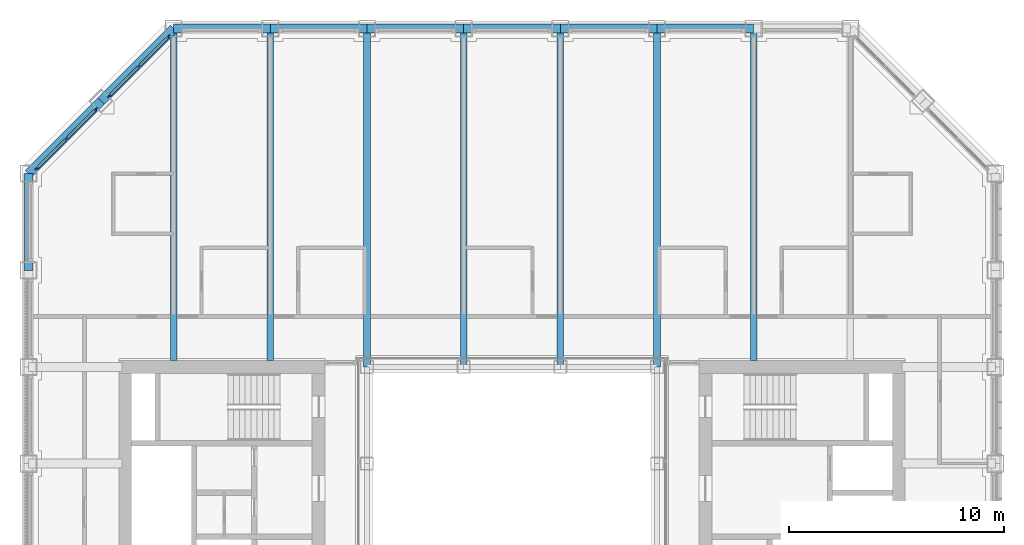
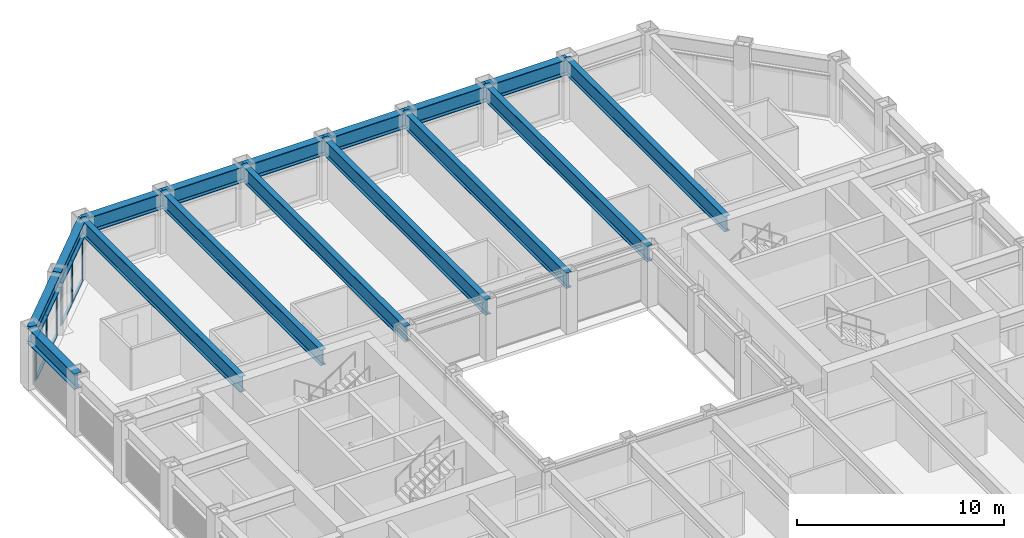
# One storey, part 7 of 17: 16 beams, 14 members, 2 elements without a shape of their own.
"""IFC4 building model written with IfcOpenShell, lengths in metres."""

from ifc_helpers import new_model, si_unit, direction, frame, origin, origin_2d, place, context, subcontext, project, spatial, rectangle, i_section, extrude, material, material_profile, profile_set, type_object, element, aggregate, save


model = new_model("IFC4")

# Units and contexts
model_context = context("Model", 3, precision=1e-05, world=origin(), true_north=direction((0.0, 1.0)))
body_context = subcontext(model_context, "Body", "Model", "MODEL_VIEW")
ifc_project = project(units=[si_unit("LENGTHUNIT", "METRE"), si_unit("AREAUNIT", "SQUARE_METRE"), si_unit("VOLUMEUNIT", "CUBIC_METRE"), si_unit("PLANEANGLEUNIT", "RADIAN"), si_unit("MASSUNIT", "GRAM", prefix="KILO")], contexts=[model_context])

# Site, building, storey
site_placement = place(None, origin())
site = spatial("IfcSite", under=ifc_project, at=site_placement, CompositionType="ELEMENT")
building_placement = place(site_placement, origin())
building = spatial("IfcBuilding", under=site, at=building_placement, Name="Msasa Ring Tower", CompositionType="ELEMENT")
storey_placement = place(building_placement, frame((0.0, 0.0, 158.0)))
storey = spatial("IfcBuildingStorey", under=building, at=storey_placement, Name="L41", CompositionType="ELEMENT", Elevation=158.0)

# Curtain wall, members
ifc_material_1 = material(Name="Aluminium curtain wall with clear glass", Category="aluminium")
curtain_wall_type = type_object("IfcCurtainWallType", Name="CW-C CHAMFER CORNER CURTAIN WALL", PredefinedType="NOTDEFINED", material=ifc_material_1)
curtain_wall_1_placement = place(storey_placement, origin())
curtain_wall_1 = element("IfcCurtainWall", 1, at=curtain_wall_1_placement, inside=storey, type_object=curtain_wall_type, Name="Chamfer corner curtain wall NW L41", PredefinedType="NOTDEFINED")
ifc_material_2 = material(Name="Aluminium mullion", Category="aluminium")
ifc_material_profile_1 = material_profile(ifc_material_2, rectangle(XDim=0.06494140625, YDim=0.179931640625, at=origin_2d()), Name="AL 65x180")
ifc_profile_set_1 = profile_set([ifc_material_profile_1], Name="Aluminium mullion")
member_type_1 = type_object("IfcMemberType", Name="CW-C MULLION 65x180", PredefinedType="MULLION", material=ifc_profile_set_1)
member_1_placement = place(storey_placement, frame((-19.36376953125, 18.744873046875, 0.0), z_axis=(0.0, 0.0, 1.0), x_axis=(0.707106781187, -0.707106781187, 0.0)))
member_1 = element("IfcMember", 2, at=member_1_placement, type_object=member_type_1, Name="CW-C mullion 1", PredefinedType="MULLION", context=body_context, shape_type="SweptSolid", body=[
    extrude(rectangle(XDim=0.06494140625, YDim=0.179931640625, at=origin_2d()), origin(), (0.0, 0.0, 1.0), 2.47900390625),
])
member_2_placement = place(storey_placement, frame((-20.74169921875, 17.36669921875, 0.0), z_axis=(0.0, 0.0, 1.0), x_axis=(0.707106781187, -0.707106781187, 0.0)))
member_2 = element("IfcMember", 3, at=member_2_placement, type_object=member_type_1, Name="CW-C mullion 2", PredefinedType="MULLION", context=body_context, shape_type="SweptSolid", body=[
    extrude(rectangle(XDim=0.06494140625, YDim=0.179931640625, at=origin_2d()), origin(), (0.0, 0.0, 1.0), 2.47900390625),
])
member_3_placement = place(storey_placement, frame((-22.119873046875, 15.98876953125, 0.0), z_axis=(0.0, 0.0, 1.0), x_axis=(0.707106781187, -0.707106781187, 0.0)))
member_3 = element("IfcMember", 4, at=member_3_placement, type_object=member_type_1, Name="CW-C mullion 3", PredefinedType="MULLION", context=body_context, shape_type="SweptSolid", body=[
    extrude(rectangle(XDim=0.06494140625, YDim=0.179931640625, at=origin_2d()), origin(), (0.0, 0.0, 1.0), 2.47900390625),
])

curtain_wall_2_placement = place(storey_placement, origin())
curtain_wall_2 = element("IfcCurtainWall", 5, at=curtain_wall_2_placement, inside=storey, type_object=curtain_wall_type, Name="Chamfer corner curtain wall NW L41", PredefinedType="NOTDEFINED")
member_4_placement = place(storey_placement, frame((-15.98876953125, 22.119873046875, 0.0), z_axis=(0.0, 0.0, 1.0), x_axis=(0.707106781187, -0.707106781187, 0.0)))
member_4 = element("IfcMember", 6, at=member_4_placement, type_object=member_type_1, Name="CW-C mullion 1", PredefinedType="MULLION", context=body_context, shape_type="SweptSolid", body=[
    extrude(rectangle(XDim=0.06494140625, YDim=0.179931640625, at=origin_2d()), origin(), (0.0, 0.0, 1.0), 2.47900390625),
])
member_5_placement = place(storey_placement, frame((-17.36669921875, 20.74169921875, 0.0), z_axis=(0.0, 0.0, 1.0), x_axis=(0.707106781187, -0.707106781187, 0.0)))
member_5 = element("IfcMember", 7, at=member_5_placement, type_object=member_type_1, Name="CW-C mullion 2", PredefinedType="MULLION", context=body_context, shape_type="SweptSolid", body=[
    extrude(rectangle(XDim=0.06494140625, YDim=0.179931640625, at=origin_2d()), origin(), (0.0, 0.0, 1.0), 2.47900390625),
])
member_6_placement = place(storey_placement, frame((-18.744873046875, 19.36376953125, 0.0), z_axis=(0.0, 0.0, 1.0), x_axis=(0.707106781187, -0.707106781187, 0.0)))
member_6 = element("IfcMember", 8, at=member_6_placement, type_object=member_type_1, Name="CW-C mullion 3", PredefinedType="MULLION", context=body_context, shape_type="SweptSolid", body=[
    extrude(rectangle(XDim=0.06494140625, YDim=0.179931640625, at=origin_2d()), origin(), (0.0, 0.0, 1.0), 2.47900390625),
])

# Member
ifc_material_3 = material(Name="Aluminium transom", Category="aluminium")
ifc_material_profile_2 = material_profile(ifc_material_3, rectangle(XDim=0.139892578125, YDim=0.06494140625, at=origin_2d()), Name="AL 65x140")
ifc_profile_set_2 = profile_set([ifc_material_profile_2], Name="Aluminium transom")
member_type_2 = type_object("IfcMemberType", Name="CW-C TRANSOM 65x140", PredefinedType="USERDEFINED", material=ifc_profile_set_2)
member_7_placement = place(storey_placement, frame((-19.38671875, 18.721923828125, 0.032470703125), z_axis=(-0.707106781187, -0.707106781187, 0.0), x_axis=(0.707106781187, -0.707106781187, 0.0)))
member_7 = element("IfcMember", 9, at=member_7_placement, type_object=member_type_2, Name="CW-C transom 1.1", ObjectType="TRANSOM", PredefinedType="USERDEFINED", context=body_context, shape_type="SweptSolid", body=[
    extrude(rectangle(XDim=0.139892578125, YDim=0.06494140625, at=origin_2d()), origin(), (0.0, 0.0, 1.0), 1.8837890625),
])

member_8_placement = place(storey_placement, frame((-19.38671875, 18.721923828125, 2.446533203125), z_axis=(-0.707106781187, -0.707106781187, 0.0), x_axis=(0.707106781187, -0.707106781187, 0.0)))
member_8 = element("IfcMember", 10, at=member_8_placement, type_object=member_type_2, Name="CW-C transom 1.2", ObjectType="TRANSOM", PredefinedType="USERDEFINED", context=body_context, shape_type="SweptSolid", body=[
    extrude(rectangle(XDim=0.139892578125, YDim=0.06494140625, at=origin_2d()), origin(), (0.0, 0.0, 1.0), 1.8837890625),
])

member_9_placement = place(storey_placement, frame((-20.764892578125, 17.34375, 0.032470703125), z_axis=(-0.707106781187, -0.707106781187, 0.0), x_axis=(0.707106781187, -0.707106781187, 0.0)))
member_9 = element("IfcMember", 11, at=member_9_placement, type_object=member_type_2, Name="CW-C transom 2.1", ObjectType="TRANSOM", PredefinedType="USERDEFINED", context=body_context, shape_type="SweptSolid", body=[
    extrude(rectangle(XDim=0.139892578125, YDim=0.06494140625, at=origin_2d()), origin(), (0.0, 0.0, 1.0), 1.8837890625),
])

member_10_placement = place(storey_placement, frame((-20.764892578125, 17.34375, 2.446533203125), z_axis=(-0.707106781187, -0.707106781187, 0.0), x_axis=(0.707106781187, -0.707106781187, 0.0)))
member_10 = element("IfcMember", 12, at=member_10_placement, type_object=member_type_2, Name="CW-C transom 2.2", ObjectType="TRANSOM", PredefinedType="USERDEFINED", context=body_context, shape_type="SweptSolid", body=[
    extrude(rectangle(XDim=0.139892578125, YDim=0.06494140625, at=origin_2d()), origin(), (0.0, 0.0, 1.0), 1.8837890625),
])

aggregate(curtain_wall_1, [member_1, member_2, member_3, member_7, member_8, member_9, member_10])

member_11_placement = place(storey_placement, frame((-16.01171875, 22.096923828125, 0.032470703125), z_axis=(-0.707106781187, -0.707106781187, 0.0), x_axis=(0.707106781187, -0.707106781187, 0.0)))
member_11 = element("IfcMember", 13, at=member_11_placement, type_object=member_type_2, Name="CW-C transom 1.1", ObjectType="TRANSOM", PredefinedType="USERDEFINED", context=body_context, shape_type="SweptSolid", body=[
    extrude(rectangle(XDim=0.139892578125, YDim=0.06494140625, at=origin_2d()), origin(), (0.0, 0.0, 1.0), 1.8837890625),
])

member_12_placement = place(storey_placement, frame((-16.01171875, 22.096923828125, 2.446533203125), z_axis=(-0.707106781187, -0.707106781187, 0.0), x_axis=(0.707106781187, -0.707106781187, 0.0)))
member_12 = element("IfcMember", 14, at=member_12_placement, type_object=member_type_2, Name="CW-C transom 1.2", ObjectType="TRANSOM", PredefinedType="USERDEFINED", context=body_context, shape_type="SweptSolid", body=[
    extrude(rectangle(XDim=0.139892578125, YDim=0.06494140625, at=origin_2d()), origin(), (0.0, 0.0, 1.0), 1.8837890625),
])

member_13_placement = place(storey_placement, frame((-17.389892578125, 20.71875, 0.032470703125), z_axis=(-0.707106781187, -0.707106781187, 0.0), x_axis=(0.707106781187, -0.707106781187, 0.0)))
member_13 = element("IfcMember", 15, at=member_13_placement, type_object=member_type_2, Name="CW-C transom 2.1", ObjectType="TRANSOM", PredefinedType="USERDEFINED", context=body_context, shape_type="SweptSolid", body=[
    extrude(rectangle(XDim=0.139892578125, YDim=0.06494140625, at=origin_2d()), origin(), (0.0, 0.0, 1.0), 1.8837890625),
])

member_14_placement = place(storey_placement, frame((-17.389892578125, 20.71875, 2.446533203125), z_axis=(-0.707106781187, -0.707106781187, 0.0), x_axis=(0.707106781187, -0.707106781187, 0.0)))
member_14 = element("IfcMember", 16, at=member_14_placement, type_object=member_type_2, Name="CW-C transom 2.2", ObjectType="TRANSOM", PredefinedType="USERDEFINED", context=body_context, shape_type="SweptSolid", body=[
    extrude(rectangle(XDim=0.139892578125, YDim=0.06494140625, at=origin_2d()), origin(), (0.0, 0.0, 1.0), 1.8837890625),
])

aggregate(curtain_wall_2, [member_4, member_5, member_6, member_11, member_12, member_13, member_14])

# Beams
ifc_material_4 = material(Name="Steel S355", Category="steel")
ifc_material_profile_3 = material_profile(ifc_material_4, i_section(OverallWidth=0.3076171875, OverallDepth=0.926513671875, WebThickness=0.01953125, FlangeThickness=0.031982421875, FilletRadius=0.01904296875, at=origin_2d()), Name="UB 914x305x289")
ifc_profile_set_3 = profile_set([ifc_material_profile_3], Name="Steel S355")
beam_type_1 = type_object("IfcBeamType", Name="FB3 UB 914x305x289", PredefinedType="BEAM", material=ifc_profile_set_3)
for number, where, z_axis, x_axis, name in (
    (17, (-15.75, 22.5, 2.936767578125), (0.0, -1.0, 0.0), (1.0, 0.0, 0.0), "Floor beam N-15.75 under L42"),
    (18, (-11.25, 22.5, 2.936767578125), (0.0, -1.0, 0.0), (1.0, 0.0, 0.0), "Floor beam N-11.25 under L42"),
):
    element("IfcBeam", number, at=place(storey_placement, frame(where, z_axis=z_axis, x_axis=x_axis)), inside=storey, type_object=beam_type_1, Name=name, PredefinedType="BEAM", context=body_context, shape_type="SweptSolid", body=[
        extrude(i_section(OverallWidth=0.3076171875, OverallDepth=0.926513671875, WebThickness=0.01953125, FlangeThickness=0.031982421875, FilletRadius=0.01904296875, at=origin_2d()), origin(), (0.0, 0.0, 1.0), 15.449951171875),
    ])
for number, where, z_axis, x_axis, name in (
    (19, (-6.75, 22.5, 2.936767578125), (0.0, -1.0, 0.0), (1.0, 0.0, 0.0), "Floor beam N-6.75 under L42"),
    (20, (-2.25, 22.5, 2.936767578125), (0.0, -1.0, 0.0), (1.0, 0.0, 0.0), "Floor beam N-2.25 under L42"),
    (21, (2.25, 22.5, 2.936767578125), (0.0, -1.0, 0.0), (1.0, 0.0, 0.0), "Floor beam N+2.25 under L42"),
    (22, (6.75, 22.5, 2.936767578125), (0.0, -1.0, 0.0), (1.0, 0.0, 0.0), "Floor beam N+6.75 under L42"),
):
    element("IfcBeam", number, at=place(storey_placement, frame(where, z_axis=z_axis, x_axis=x_axis)), inside=storey, type_object=beam_type_1, Name=name, PredefinedType="BEAM", context=body_context, shape_type="SweptSolid", body=[
        extrude(i_section(OverallWidth=0.3076171875, OverallDepth=0.926513671875, WebThickness=0.01953125, FlangeThickness=0.031982421875, FilletRadius=0.01904296875, at=origin_2d()), origin(), (0.0, 0.0, 1.0), 15.75),
    ])
beam_1_placement = place(storey_placement, frame((11.25, 22.5, 2.936767578125), z_axis=(0.0, -1.0, 0.0), x_axis=(1.0, 0.0, 0.0)))
element("IfcBeam", 23, at=beam_1_placement, inside=storey, type_object=beam_type_1, Name="Floor beam N+11.25 under L42", PredefinedType="BEAM", context=body_context, shape_type="SweptSolid", body=[
    extrude(i_section(OverallWidth=0.3076171875, OverallDepth=0.926513671875, WebThickness=0.01953125, FlangeThickness=0.031982421875, FilletRadius=0.01904296875, at=origin_2d()), origin(), (0.0, 0.0, 1.0), 15.449951171875),
])
ifc_material_5 = material(Name="Steel S355", Category="steel")
ifc_material_profile_4 = material_profile(ifc_material_5, i_section(OverallWidth=0.42041015625, OverallDepth=0.9208984375, WebThickness=0.021484375, FlangeThickness=0.03662109375, FilletRadius=0.024169921875, at=origin_2d()), Name="UB 914x419x388")
ifc_profile_set_4 = profile_set([ifc_material_profile_4], Name="Steel S355")
beam_type_2 = type_object("IfcBeamType", Name="SB1 UB 914x419x388", PredefinedType="SPANDREL", material=ifc_profile_set_4)
for number, where, z_axis, x_axis, name in (
    (24, (11.25, 22.5, 2.939453125), (-1.0, 0.0, 0.0), (0.0, -1.0, 0.0), "Spandrel N+11.25 to N+6.75 under L42"),
    (25, (6.75, 22.5, 2.939453125), (-1.0, 0.0, 0.0), (0.0, -1.0, 0.0), "Spandrel N+6.75 to N+2.25 under L42"),
    (26, (2.25, 22.5, 2.939453125), (-1.0, 0.0, 0.0), (0.0, -1.0, 0.0), "Spandrel N+2.25 to N-2.25 under L42"),
    (27, (-2.25, 22.5, 2.939453125), (-1.0, 0.0, 0.0), (0.0, -1.0, 0.0), "Spandrel N-2.25 to N-6.75 under L42"),
    (28, (-6.75, 22.5, 2.939453125), (-1.0, 0.0, 0.0), (0.0, -1.0, 0.0), "Spandrel N-6.75 to N-11.25 under L42"),
    (29, (-11.25, 22.5, 2.939453125), (-1.0, 0.0, 0.0), (0.0, -1.0, 0.0), "Spandrel N-11.25 to N-15.75 under L42"),
):
    element("IfcBeam", number, at=place(storey_placement, frame(where, z_axis=z_axis, x_axis=x_axis)), inside=storey, type_object=beam_type_2, Name=name, PredefinedType="SPANDREL", context=body_context, shape_type="SweptSolid", body=[
        extrude(i_section(OverallWidth=0.42041015625, OverallDepth=0.9208984375, WebThickness=0.021484375, FlangeThickness=0.03662109375, FilletRadius=0.024169921875, at=origin_2d()), origin(), (0.0, 0.0, 1.0), 4.5),
    ])
for number, where, z_axis, x_axis, name in (
    (30, (-15.75, 22.5, 2.939453125), (-0.707106781187, -0.707106781187, 0.0), (0.707106781187, -0.707106781187, 0.0), "Spandrel N-15.75 to NW under L42"),
    (31, (-19.125, 19.125, 2.939453125), (-0.707106781187, -0.707106781187, 0.0), (0.707106781187, -0.707106781187, 0.0), "Spandrel NW to W+15.75 under L42"),
):
    element("IfcBeam", number, at=place(storey_placement, frame(where, z_axis=z_axis, x_axis=x_axis)), inside=storey, type_object=beam_type_2, Name=name, PredefinedType="SPANDREL", context=body_context, shape_type="SweptSolid", body=[
        extrude(i_section(OverallWidth=0.42041015625, OverallDepth=0.9208984375, WebThickness=0.021484375, FlangeThickness=0.03662109375, FilletRadius=0.024169921875, at=origin_2d()), origin(), (0.0, 0.0, 1.0), 4.77294921875),
    ])
beam_2_placement = place(storey_placement, frame((-22.5, 15.75, 2.939453125), z_axis=(0.0, -1.0, 0.0), x_axis=(1.0, 0.0, 0.0)))
element("IfcBeam", 32, at=beam_2_placement, inside=storey, type_object=beam_type_2, Name="Spandrel W+15.75 to W+11.25 under L42", PredefinedType="SPANDREL", context=body_context, shape_type="SweptSolid", body=[
    extrude(i_section(OverallWidth=0.42041015625, OverallDepth=0.9208984375, WebThickness=0.021484375, FlangeThickness=0.03662109375, FilletRadius=0.024169921875, at=origin_2d()), origin(), (0.0, 0.0, 1.0), 4.5),
])

save(model, "model.ifc")
